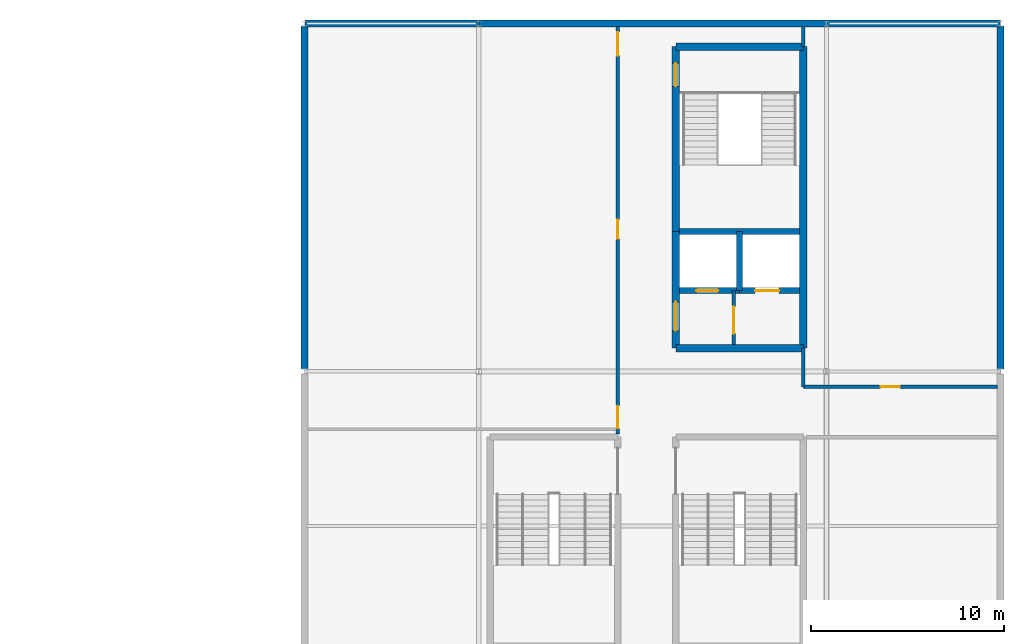
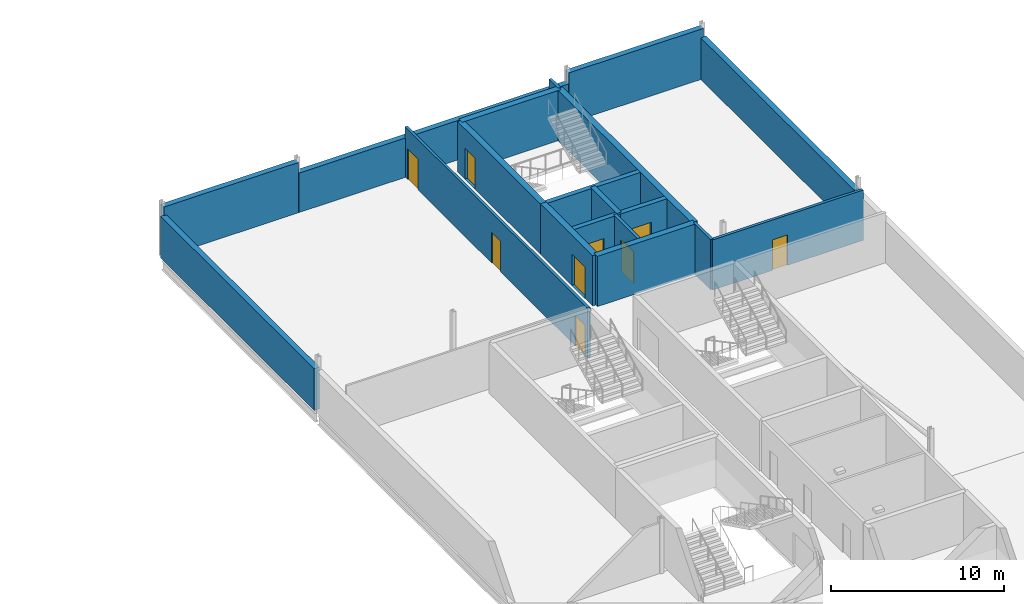
# One storey, part 19 of 30: 19 walls, 9 doors, 9 openings.
"""IFC4 building model written with IfcOpenShell, lengths in metres."""

from ifc_helpers import new_model, si_unit, direction, frame, frame_2d, origin, place, context, subcontext, project, spatial, rectangle, extrude, material, layer, layer_set, type_object, element, fill, save


model = new_model("IFC4")

# Units and contexts
model_context = context("Model", 3, precision=1e-05, world=origin(), true_north=direction((0.0, 1.0)))
body_context = subcontext(model_context, "Body", "Model", "MODEL_VIEW")
ifc_project = project(units=[si_unit("LENGTHUNIT", "METRE"), si_unit("AREAUNIT", "SQUARE_METRE"), si_unit("VOLUMEUNIT", "CUBIC_METRE"), si_unit("PLANEANGLEUNIT", "RADIAN"), si_unit("MASSUNIT", "GRAM", prefix="KILO")], contexts=[model_context])

# Site, building, storey
site_placement = place(None, origin())
site = spatial("IfcSite", under=ifc_project, at=site_placement, CompositionType="ELEMENT")
building_placement = place(site_placement, origin())
building = spatial("IfcBuilding", under=site, at=building_placement, Name="Kisiwana Market Hall", CompositionType="ELEMENT")
storey_placement = place(building_placement, frame((0.0, 0.0, 54.0)))
storey = spatial("IfcBuildingStorey", under=building, at=storey_placement, Name="L12", CompositionType="ELEMENT", Elevation=54.0)

# Wall, opening, door
ifc_material_1 = material(Name="Masonry blockwork", Category="masonry")
ifc_layer_1 = layer(ifc_material_1, 0.199951171875, Name="Plastered fire compartment block wall")
ifc_layer_set_1 = layer_set([ifc_layer_1], Name="WL-COMP-200")
wall_type_1 = type_object("IfcWallType", Name="WL-COMP-200", PredefinedType="PARTITIONING", material=ifc_layer_set_1)
wall_1_placement = place(storey_placement, frame((184.199951171875, 85.39990234375, 0.0), z_axis=(0.0, 0.0, 1.0), x_axis=(0.0, 1.0, 0.0)))
wall_1 = element("IfcWall", 1, at=wall_1_placement, inside=storey, type_object=wall_type_1, Name="Core E1 firefighting lobby wall W-3014", PredefinedType="PARTITIONING", context=body_context, shape_type="SweptSolid", body=[
    extrude(rectangle(XDim=2.780029296875, YDim=0.199951171875, at=frame_2d((1.39013671875, 0.0))), origin(), (0.0, 0.0, 1.0), 3.544921875),
])
opening_1_placement = place(wall_1_placement, frame((0.550048828125, 0.0, 0.0)))
opening_1 = element("IfcOpeningElement", 2, at=opening_1_placement, cuts=wall_1, Name="Opening DR-L12-012", PredefinedType="OPENING", context=body_context, shape_type="SweptSolid", body=[
    extrude(rectangle(XDim=1.39990234375, YDim=2.25, at=frame_2d((0.699951171875, 1.125))), frame((0.0, 0.11181640625, 0.0), z_axis=(0.0, -1.0, 0.0), x_axis=(1.0, 0.0, 0.0)), (0.0, 0.0, 1.0), 0.223876953125),
])
ifc_material_2 = material(Name="Steel S275", Category="steel")
door_type_1 = type_object("IfcDoorType", Name="DR-FFLOB-FD120-1400", OperationType="DOUBLE_DOOR_SINGLE_SWING", PredefinedType="DOOR", material=ifc_material_2)
door_1_placement = place(opening_1_placement, origin())
door_1 = element("IfcDoor", 3, at=door_1_placement, inside=storey, type_object=door_type_1, Name="Firefighting Lift Lobby E1 Door (L12)", OperationType="DOUBLE_DOOR_SINGLE_SWING", OverallHeight=2.25, OverallWidth=1.39990234375, PredefinedType="DOOR", context=body_context, shape_type="SweptSolid", body=[
    extrude(rectangle(XDim=1.39990234375, YDim=2.25, at=frame_2d((0.699951171875, 1.125))), frame((0.0, 0.02490234375, 0.0), z_axis=(0.0, -1.0, 0.0), x_axis=(1.0, 0.0, 0.0)), (0.0, 0.0, 1.0), 0.050048828125),
])
fill(opening_1, door_1)

# Walls
ifc_material_3 = material(Name="Concrete C40/50", Category="concrete")
ifc_layer_2 = layer(ifc_material_3, 0.320068359375, Name="Reinforced concrete shaft wall")
ifc_layer_set_2 = layer_set([ifc_layer_2], Name="WL-CORE-320")
wall_type_2 = type_object("IfcWallType", Name="WL-CORE-320", PredefinedType="SHEAR", material=ifc_layer_set_2)
wall_2_placement = place(storey_placement, frame((181.39990234375, 91.239990234375, 0.0), z_axis=(0.0, 0.0, 1.0), x_axis=(1.0, 0.0, 0.0)))
element("IfcWall", 4, at=wall_2_placement, inside=storey, type_object=wall_type_2, Name="Core E1 shaft back shear wall W-2931", PredefinedType="SHEAR", context=body_context, shape_type="SweptSolid", body=[
    extrude(rectangle(XDim=6.2001953125, YDim=0.320068359375, at=frame_2d((3.10009765625, 0.0))), origin(), (0.0, 0.0, 1.0), 3.544921875),
])
wall_3_placement = place(storey_placement, frame((184.5, 88.179931640625, 0.0), z_axis=(0.0, 0.0, 1.0), x_axis=(0.0, 1.0, 0.0)))
element("IfcWall", 5, at=wall_3_placement, inside=storey, type_object=wall_type_2, Name="Core E1 inter-shaft shear wall W-2932", PredefinedType="SHEAR", context=body_context, shape_type="SweptSolid", body=[
    extrude(rectangle(XDim=3.06005859375, YDim=0.320068359375, at=frame_2d((1.530029296875, 0.0))), origin(), (0.0, 0.0, 1.0), 3.544921875),
])

# Wall, opening, door
wall_4_placement = place(storey_placement, frame((181.39990234375, 88.179931640625, 0.0), z_axis=(0.0, 0.0, 1.0), x_axis=(1.0, 0.0, 0.0)))
wall_4 = element("IfcWall", 6, at=wall_4_placement, inside=storey, type_object=wall_type_2, Name="Core E1 west lift front wall W-2933", PredefinedType="SHEAR", context=body_context, shape_type="SweptSolid", body=[
    extrude(rectangle(XDim=3.10009765625, YDim=0.320068359375, at=frame_2d((1.550048828125, 0.0))), origin(), (0.0, 0.0, 1.0), 3.544921875),
])
opening_2_placement = place(wall_4_placement, frame((0.85009765625, 0.0, 0.0)))
opening_2 = element("IfcOpeningElement", 7, at=opening_2_placement, cuts=wall_4, Name="Opening LD-L12-007", PredefinedType="OPENING", context=body_context, shape_type="SweptSolid", body=[
    extrude(rectangle(XDim=1.14990234375, YDim=2.199951171875, at=frame_2d((0.574951171875, 1.10009765625))), frame((0.0, 0.171875, 0.0), z_axis=(0.0, -1.0, 0.0), x_axis=(1.0, 0.0, 0.0)), (0.0, 0.0, 1.0), 0.343994140625),
])
ifc_material_4 = material(Name="Steel S275", Category="steel")
door_type_2 = type_object("IfcDoorType", Name="DR-LIFT-PAX-1150", OperationType="DOUBLE_DOOR_SLIDING", PredefinedType="DOOR", material=ifc_material_4)
door_2_placement = place(opening_2_placement, origin())
door_2 = element("IfcDoor", 8, at=door_2_placement, inside=storey, type_object=door_type_2, Name="Lift Landing Door LP-04 (L12)", OperationType="DOUBLE_DOOR_SLIDING", OverallHeight=2.199951171875, OverallWidth=1.14990234375, PredefinedType="DOOR", context=body_context, shape_type="SweptSolid", body=[
    extrude(rectangle(XDim=1.14990234375, YDim=2.199951171875, at=frame_2d((0.574951171875, 1.10009765625))), frame((0.0, 0.02490234375, 0.0), z_axis=(0.0, -1.0, 0.0), x_axis=(1.0, 0.0, 0.0)), (0.0, 0.0, 1.0), 0.050048828125),
])
fill(opening_2, door_2)

wall_5_placement = place(storey_placement, frame((184.5, 88.179931640625, 0.0), z_axis=(0.0, 0.0, 1.0), x_axis=(1.0, 0.0, 0.0)))
wall_5 = element("IfcWall", 9, at=wall_5_placement, inside=storey, type_object=wall_type_2, Name="Core E1 east lift front wall W-2934", PredefinedType="SHEAR", context=body_context, shape_type="SweptSolid", body=[
    extrude(rectangle(XDim=3.10009765625, YDim=0.320068359375, at=frame_2d((1.550048828125, 0.0))), origin(), (0.0, 0.0, 1.0), 3.544921875),
])
opening_3_placement = place(wall_5_placement, frame((0.800048828125, 0.0, 0.0)))
opening_3 = element("IfcOpeningElement", 10, at=opening_3_placement, cuts=wall_5, Name="Opening LD-L12-008", PredefinedType="OPENING", context=body_context, shape_type="SweptSolid", body=[
    extrude(rectangle(XDim=1.25, YDim=2.25, at=frame_2d((0.625, 1.125))), frame((0.0, 0.171875, 0.0), z_axis=(0.0, -1.0, 0.0), x_axis=(1.0, 0.0, 0.0)), (0.0, 0.0, 1.0), 0.343994140625),
])
ifc_material_5 = material(Name="Steel S275", Category="steel")
door_type_3 = type_object("IfcDoorType", Name="DR-LIFT-FFL-1250", OperationType="DOUBLE_DOOR_SLIDING", PredefinedType="DOOR", material=ifc_material_5)
door_3_placement = place(opening_3_placement, origin())
door_3 = element("IfcDoor", 11, at=door_3_placement, inside=storey, type_object=door_type_3, Name="Lift Landing Door FFL-04 (L12)", OperationType="DOUBLE_DOOR_SLIDING", OverallHeight=2.25, OverallWidth=1.25, PredefinedType="DOOR", context=body_context, shape_type="SweptSolid", body=[
    extrude(rectangle(XDim=1.25, YDim=2.25, at=frame_2d((0.625, 1.125))), frame((0.0, 0.02490234375, 0.0), z_axis=(0.0, -1.0, 0.0), x_axis=(1.0, 0.0, 0.0)), (0.0, 0.0, 1.0), 0.050048828125),
])
fill(opening_3, door_3)

# Walls
ifc_material_6 = material(Name="Concrete C40/50", Category="concrete")
ifc_layer_3 = layer(ifc_material_6, 0.39990234375, Name="Reinforced concrete core wall")
ifc_layer_set_3 = layer_set([ifc_layer_3], Name="WL-CORE-400")
wall_type_3 = type_object("IfcWallType", Name="WL-CORE-400", PredefinedType="SHEAR", material=ifc_layer_set_3)
for number, where, z_axis, x_axis, name in (
    (12, (181.199951171875, 85.199951171875, 0.0), (0.0, 0.0, 1.0), (1.0, 0.0, 0.0), "Core E1 south shear wall W-2926"),
    (13, (181.199951171875, 100.800048828125, 0.0), (0.0, 0.0, 1.0), (1.0, 0.0, 0.0), "Core E1 north shear wall W-2927"),
):
    element("IfcWall", number, at=place(storey_placement, frame(where, z_axis=z_axis, x_axis=x_axis)), inside=storey, type_object=wall_type_3, Name=name, PredefinedType="SHEAR", context=body_context, shape_type="SweptSolid", body=[
        extrude(rectangle(XDim=6.60009765625, YDim=0.39990234375, at=frame_2d((3.300048828125, 0.0))), origin(), (0.0, 0.0, 1.0), 3.544921875),
    ])
wall_6_placement = place(storey_placement, frame((187.800048828125, 85.199951171875, 0.0), z_axis=(0.0, 0.0, 1.0), x_axis=(0.0, 1.0, 0.0)))
element("IfcWall", 14, at=wall_6_placement, inside=storey, type_object=wall_type_3, Name="Core E1 outer shear wall W-2928", PredefinedType="SHEAR", context=body_context, shape_type="SweptSolid", body=[
    extrude(rectangle(XDim=15.60009765625, YDim=0.39990234375, at=frame_2d((7.800048828125, 0.0))), origin(), (0.0, 0.0, 1.0), 3.544921875),
])

# Wall, opening, door
wall_7_placement = place(storey_placement, frame((181.199951171875, 85.199951171875, 0.0), z_axis=(0.0, 0.0, 1.0), x_axis=(0.0, 1.0, 0.0)))
wall_7 = element("IfcWall", 15, at=wall_7_placement, inside=storey, type_object=wall_type_3, Name="Core E1 lobby corridor shear wall W-2929", PredefinedType="SHEAR", context=body_context, shape_type="SweptSolid", body=[
    extrude(rectangle(XDim=6.0400390625, YDim=0.39990234375, at=frame_2d((3.02001953125, 0.0))), origin(), (0.0, 0.0, 1.0), 3.544921875),
])
opening_4_placement = place(wall_7_placement, frame((0.89990234375, 0.0, 0.0)))
opening_4 = element("IfcOpeningElement", 16, at=opening_4_placement, cuts=wall_7, Name="Opening DR-L12-010", PredefinedType="OPENING", context=body_context, shape_type="SweptSolid", body=[
    extrude(rectangle(XDim=1.5, YDim=2.199951171875, at=frame_2d((0.75, 1.10009765625))), frame((0.0, 0.2119140625, 0.0), z_axis=(0.0, -1.0, 0.0), x_axis=(1.0, 0.0, 0.0)), (0.0, 0.0, 1.0), 0.423828125),
])
ifc_material_7 = material(Name="Steel S275", Category="steel")
door_type_4 = type_object("IfcDoorType", Name="DR-CORR-FD60-1500", OperationType="DOUBLE_DOOR_SINGLE_SWING", PredefinedType="DOOR", material=ifc_material_7)
door_4_placement = place(opening_4_placement, origin())
door_4 = element("IfcDoor", 17, at=door_4_placement, inside=storey, type_object=door_type_4, Name="Passenger Lift Lobby E1 Smoke Door (L12)", OperationType="DOUBLE_DOOR_SINGLE_SWING", OverallHeight=2.199951171875, OverallWidth=1.5, PredefinedType="DOOR", context=body_context, shape_type="SweptSolid", body=[
    extrude(rectangle(XDim=1.5, YDim=2.199951171875, at=frame_2d((0.75, 1.10009765625))), frame((0.0, 0.02490234375, 0.0), z_axis=(0.0, -1.0, 0.0), x_axis=(1.0, 0.0, 0.0)), (0.0, 0.0, 1.0), 0.050048828125),
])
fill(opening_4, door_4)

wall_8_placement = place(storey_placement, frame((181.199951171875, 91.239990234375, 0.0), z_axis=(0.0, 0.0, 1.0), x_axis=(0.0, 1.0, 0.0)))
wall_8 = element("IfcWall", 18, at=wall_8_placement, inside=storey, type_object=wall_type_3, Name="Core E1 stair corridor shear wall W-2930", PredefinedType="SHEAR", context=body_context, shape_type="SweptSolid", body=[
    extrude(rectangle(XDim=9.56005859375, YDim=0.39990234375, at=frame_2d((4.780029296875, 0.0))), origin(), (0.0, 0.0, 1.0), 3.544921875),
])
opening_5_placement = place(wall_8_placement, frame((7.510009765625, 0.0, 0.0)))
opening_5 = element("IfcOpeningElement", 19, at=opening_5_placement, cuts=wall_8, Name="Opening DR-L12-011", PredefinedType="OPENING", context=body_context, shape_type="SweptSolid", body=[
    extrude(rectangle(XDim=1.199951171875, YDim=2.199951171875, at=frame_2d((0.60009765625, 1.10009765625))), frame((0.0, 0.2119140625, 0.0), z_axis=(0.0, -1.0, 0.0), x_axis=(1.0, 0.0, 0.0)), (0.0, 0.0, 1.0), 0.423828125),
])
ifc_material_8 = material(Name="Steel S275", Category="steel")
door_type_5 = type_object("IfcDoorType", Name="DR-STAIR-FD120-1200", OperationType="NOTDEFINED", PredefinedType="DOOR", material=ifc_material_8)
door_5_placement = place(opening_5_placement, frame((1.199951171875, 0.0, 0.0), z_axis=(0.0, 0.0, 1.0), x_axis=(-1.0, 0.0, 0.0)))
door_5 = element("IfcDoor", 20, at=door_5_placement, inside=storey, type_object=door_type_5, Name="Escape Stair E1 Fire Door (L12)", OperationType="SINGLE_SWING_LEFT", OverallHeight=2.199951171875, OverallWidth=1.199951171875, PredefinedType="DOOR", context=body_context, shape_type="SweptSolid", body=[
    extrude(rectangle(XDim=1.199951171875, YDim=2.199951171875, at=frame_2d((0.60009765625, 1.10009765625))), frame((0.0, 0.02490234375, 0.0), z_axis=(0.0, -1.0, 0.0), x_axis=(1.0, 0.0, 0.0)), (0.0, 0.0, 1.0), 0.050048828125),
])
fill(opening_5, door_5)

# Wall, openings, doors
ifc_material_9 = material(Name="Masonry blockwork", Category="masonry")
ifc_layer_4 = layer(ifc_material_9, 0.169921875, Name="Protected corridor partition")
ifc_layer_set_4 = layer_set([ifc_layer_4], Name="WL-CORR-170")
wall_type_4 = type_object("IfcWallType", Name="WL-CORR-170", PredefinedType="PARTITIONING", material=ifc_layer_set_4)
wall_9_placement = place(storey_placement, frame((178.199951171875, 80.760009765625, 0.0), z_axis=(0.0, 0.0, 1.0), x_axis=(0.0, 1.0, 0.0)))
wall_9 = element("IfcWall", 21, at=wall_9_placement, inside=storey, type_object=wall_type_4, Name="Interior partition W-3048", PredefinedType="PARTITIONING", context=body_context, shape_type="SweptSolid", body=[
    extrude(rectangle(XDim=21.094970703125, YDim=0.169921875, at=frame_2d((10.54736328125, 0.0))), origin(), (0.0, 0.0, 1.0), 3.544921875),
])
opening_6_placement = place(wall_9_placement, frame((10.10009765625, 0.0, 0.0)))
opening_6 = element("IfcOpeningElement", 22, at=opening_6_placement, cuts=wall_9, Name="Opening DR-L12-048", PredefinedType="OPENING", context=body_context, shape_type="SweptSolid", body=[
    extrude(rectangle(XDim=1.0, YDim=2.14990234375, at=frame_2d((0.5, 1.074951171875))), frame((0.0, 0.096923828125, 0.0), z_axis=(0.0, -1.0, 0.0), x_axis=(1.0, 0.0, 0.0)), (0.0, 0.0, 1.0), 0.19384765625),
])
opening_7_placement = place(wall_9_placement, frame((0.300048828125, 0.0, 0.0)))
opening_7 = element("IfcOpeningElement", 23, at=opening_7_placement, cuts=wall_9, Name="Opening DR-L12-049", PredefinedType="OPENING", context=body_context, shape_type="SweptSolid", body=[
    extrude(rectangle(XDim=1.14990234375, YDim=2.14990234375, at=frame_2d((0.574951171875, 1.074951171875))), frame((0.0, 0.096923828125, 0.0), z_axis=(0.0, -1.0, 0.0), x_axis=(1.0, 0.0, 0.0)), (0.0, 0.0, 1.0), 0.19384765625),
])
opening_8_placement = place(wall_9_placement, frame((19.574951171875, 0.0, 0.0)))
opening_8 = element("IfcOpeningElement", 24, at=opening_8_placement, cuts=wall_9, Name="Opening DR-L12-050", PredefinedType="OPENING", context=body_context, shape_type="SweptSolid", body=[
    extrude(rectangle(XDim=1.219970703125, YDim=2.14990234375, at=frame_2d((0.60986328125, 1.074951171875))), frame((0.0, 0.096923828125, 0.0), z_axis=(0.0, -1.0, 0.0), x_axis=(1.0, 0.0, 0.0)), (0.0, 0.0, 1.0), 0.19384765625),
])
ifc_material_10 = material(Name="Aluminium alloy 6063-T6", Category="aluminium")
door_type_6 = type_object("IfcDoorType", Name="DR-MEET-1150", OperationType="NOTDEFINED", PredefinedType="DOOR", material=ifc_material_10)
door_6_placement = place(opening_7_placement, origin())
door_6 = element("IfcDoor", 25, at=door_6_placement, inside=storey, type_object=door_type_6, Name="L12 E Director Boardroom C2 Door", OperationType="SINGLE_SWING_LEFT", OverallHeight=2.14990234375, OverallWidth=1.14990234375, PredefinedType="DOOR", context=body_context, shape_type="SweptSolid", body=[
    extrude(rectangle(XDim=1.14990234375, YDim=2.14990234375, at=frame_2d((0.574951171875, 1.074951171875))), frame((0.0, 0.02490234375, 0.0), z_axis=(0.0, -1.0, 0.0), x_axis=(1.0, 0.0, 0.0)), (0.0, 0.0, 1.0), 0.050048828125),
])
fill(opening_7, door_6)
ifc_material_11 = material(Name="Aluminium alloy 6063-T6", Category="aluminium")
door_type_7 = type_object("IfcDoorType", Name="DR-OFF-1000", OperationType="NOTDEFINED", PredefinedType="DOOR", material=ifc_material_11)
door_7_placement = place(opening_6_placement, origin())
door_7 = element("IfcDoor", 26, at=door_7_placement, inside=storey, type_object=door_type_7, Name="L12 E Executive Corner Suite C4 Door", OperationType="SINGLE_SWING_LEFT", OverallHeight=2.14990234375, OverallWidth=1.0, PredefinedType="DOOR", context=body_context, shape_type="SweptSolid", body=[
    extrude(rectangle(XDim=1.0, YDim=2.14990234375, at=frame_2d((0.5, 1.074951171875))), frame((0.0, 0.02490234375, 0.0), z_axis=(0.0, -1.0, 0.0), x_axis=(1.0, 0.0, 0.0)), (0.0, 0.0, 1.0), 0.050048828125),
])
fill(opening_6, door_7)
ifc_material_12 = material(Name="Hardwood timber", Category="wood")
door_type_8 = type_object("IfcDoorType", Name="DR-STOR-FD60-1220", OperationType="NOTDEFINED", PredefinedType="DOOR", material=ifc_material_12)
door_8_placement = place(opening_8_placement, origin())
door_8 = element("IfcDoor", 27, at=door_8_placement, inside=storey, type_object=door_type_8, Name="L12 E Legal Advisory Suite C3 Door", OperationType="SINGLE_SWING_RIGHT", OverallHeight=2.14990234375, OverallWidth=1.219970703125, PredefinedType="DOOR", context=body_context, shape_type="SweptSolid", body=[
    extrude(rectangle(XDim=1.219970703125, YDim=2.14990234375, at=frame_2d((0.60986328125, 1.074951171875))), frame((0.0, 0.02490234375, 0.0), z_axis=(0.0, -1.0, 0.0), x_axis=(1.0, 0.0, 0.0)), (0.0, 0.0, 1.0), 0.050048828125),
])
fill(opening_8, door_8)

# Walls
ifc_material_13 = material(Name="Concrete C40/50 precast", Category="concrete")
ifc_layer_5 = layer(ifc_material_13, 0.364990234375)
ifc_layer_set_5 = layer_set([ifc_layer_5], Name="WL-EXT-365")
wall_type_5 = type_object("IfcWallType", Name="WL-EXT-365", PredefinedType="STANDARD", material=ifc_layer_set_5)
wall_10_placement = place(storey_placement, frame((162.010009765625, 102.0, 0.0), z_axis=(0.0, 0.0, 1.0), x_axis=(1.0, 0.0, 0.0)))
element("IfcWall", 28, at=wall_10_placement, inside=storey, type_object=wall_type_5, Name="Exterior wall W-2992", PredefinedType="STANDARD", context=body_context, shape_type="SweptSolid", body=[
    extrude(rectangle(XDim=8.97998046875, YDim=0.364990234375, at=frame_2d((4.489990234375, 0.0))), origin(), (0.0, 0.0, 1.0), 3.544921875),
])
wall_11_placement = place(storey_placement, frame((171.010009765625, 102.0, 0.0), z_axis=(0.0, 0.0, 1.0), x_axis=(1.0, 0.0, 0.0)))
element("IfcWall", 29, at=wall_11_placement, inside=storey, type_object=wall_type_5, Name="Exterior wall W-2993", PredefinedType="STANDARD", context=body_context, shape_type="SweptSolid", body=[
    extrude(rectangle(XDim=17.97998046875, YDim=0.364990234375, at=frame_2d((8.989990234375, 0.0))), origin(), (0.0, 0.0, 1.0), 2.78271484375),
])
wall_12_placement = place(storey_placement, frame((189.010009765625, 102.0, 0.0), z_axis=(0.0, 0.0, 1.0), x_axis=(1.0, 0.0, 0.0)))
element("IfcWall", 30, at=wall_12_placement, inside=storey, type_object=wall_type_5, Name="Exterior wall W-2994", PredefinedType="STANDARD", context=body_context, shape_type="SweptSolid", body=[
    extrude(rectangle(XDim=8.97998046875, YDim=0.364990234375, at=frame_2d((4.489990234375, 0.0))), origin(), (0.0, 0.0, 1.0), 3.544921875),
])
for number, where, z_axis, x_axis, name in (
    (31, (162.0, 84.131591796875, 0.0), (0.0, 0.0, 1.0), (0.0, 1.0, 0.0), "Exterior wall W-3006"),
    (32, (198.0, 84.131591796875, 0.0), (0.0, 0.0, 1.0), (0.0, 1.0, 0.0), "Exterior wall W-3010"),
):
    element("IfcWall", number, at=place(storey_placement, frame(where, z_axis=z_axis, x_axis=x_axis)), inside=storey, type_object=wall_type_5, Name=name, PredefinedType="STANDARD", context=body_context, shape_type="SweptSolid", body=[
        extrude(rectangle(XDim=17.73681640625, YDim=0.364990234375, at=frame_2d((8.868408203125, 0.0))), origin(), (0.0, 0.0, 1.0), 2.932861328125),
    ])
ifc_material_14 = material(Name="Concrete C32/40", Category="concrete")
ifc_layer_6 = layer(ifc_material_14, 0.18505859375)
ifc_layer_set_6 = layer_set([ifc_layer_6], Name="WL-PART-185")
wall_type_6 = type_object("IfcWallType", Name="WL-PART-185", PredefinedType="PARTITIONING", material=ifc_layer_set_6)
wall_13_placement = place(storey_placement, frame((187.800048828125, 83.199951171875, 0.0), z_axis=(0.0, 0.0, 1.0), x_axis=(0.0, 1.0, 0.0)))
element("IfcWall", 33, at=wall_13_placement, inside=storey, type_object=wall_type_6, Name="Interior partition W-3037", PredefinedType="PARTITIONING", context=body_context, shape_type="SweptSolid", body=[
    extrude(rectangle(XDim=2.0, YDim=0.18505859375, at=frame_2d((1.0, 0.0))), origin(), (0.0, 0.0, 1.0), 3.544921875),
])
wall_14_placement = place(storey_placement, frame((187.800048828125, 100.800048828125, 0.0), z_axis=(0.0, 0.0, 1.0), x_axis=(0.0, 1.0, 0.0)))
element("IfcWall", 34, at=wall_14_placement, inside=storey, type_object=wall_type_6, Name="Interior partition W-3039", PredefinedType="PARTITIONING", context=body_context, shape_type="SweptSolid", body=[
    extrude(rectangle(XDim=1.054931640625, YDim=0.18505859375, at=frame_2d((0.52734375, 0.0))), origin(), (0.0, 0.0, 1.0), 3.544921875),
])

# Wall, opening, door
wall_15_placement = place(storey_placement, frame((187.800048828125, 83.199951171875, 0.0), z_axis=(0.0, 0.0, 1.0), x_axis=(1.0, 0.0, 0.0)))
wall_15 = element("IfcWall", 35, at=wall_15_placement, inside=storey, type_object=wall_type_6, Name="Interior partition W-3043", PredefinedType="PARTITIONING", context=body_context, shape_type="SweptSolid", body=[
    extrude(rectangle(XDim=10.054931640625, YDim=0.18505859375, at=frame_2d((5.02734375, 0.0))), origin(), (0.0, 0.0, 1.0), 3.544921875),
])
opening_9_placement = place(wall_15_placement, frame((4.0, 0.0, 0.0)))
opening_9 = element("IfcOpeningElement", 36, at=opening_9_placement, cuts=wall_15, Name="Opening DR-L12-044", PredefinedType="OPENING", context=body_context, shape_type="SweptSolid", body=[
    extrude(rectangle(XDim=1.0, YDim=2.14990234375, at=frame_2d((0.5, 1.074951171875))), frame((0.0, 0.1044921875, 0.0), z_axis=(0.0, -1.0, 0.0), x_axis=(1.0, 0.0, 0.0)), (0.0, 0.0, 1.0), 0.208984375),
])
door_9_placement = place(opening_9_placement, origin())
door_9 = element("IfcDoor", 37, at=door_9_placement, inside=storey, type_object=door_type_7, Name="L12 E Commercial Office North Door", OperationType="SINGLE_SWING_LEFT", OverallHeight=2.14990234375, OverallWidth=1.0, PredefinedType="DOOR", context=body_context, shape_type="SweptSolid", body=[
    extrude(rectangle(XDim=1.0, YDim=2.14990234375, at=frame_2d((0.5, 1.074951171875))), frame((0.0, 0.02490234375, 0.0), z_axis=(0.0, -1.0, 0.0), x_axis=(1.0, 0.0, 0.0)), (0.0, 0.0, 1.0), 0.050048828125),
])
fill(opening_9, door_9)

save(model, "model.ifc")
